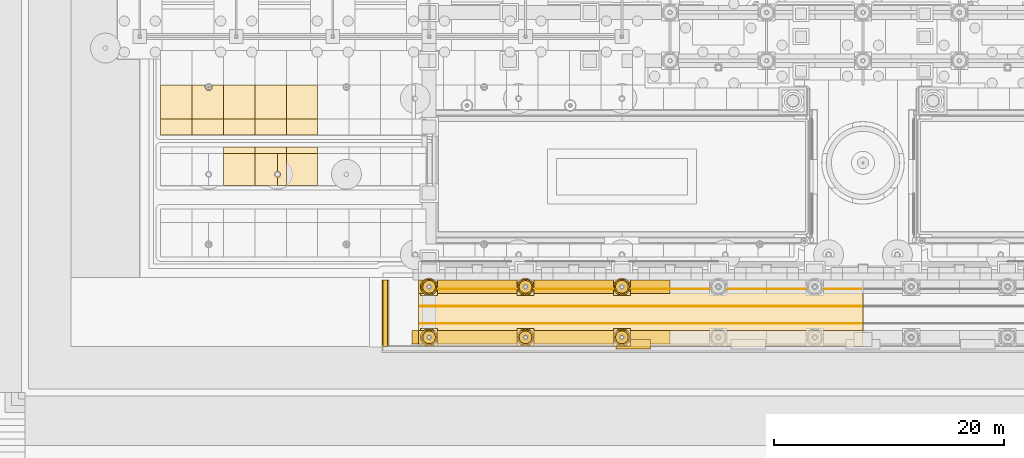
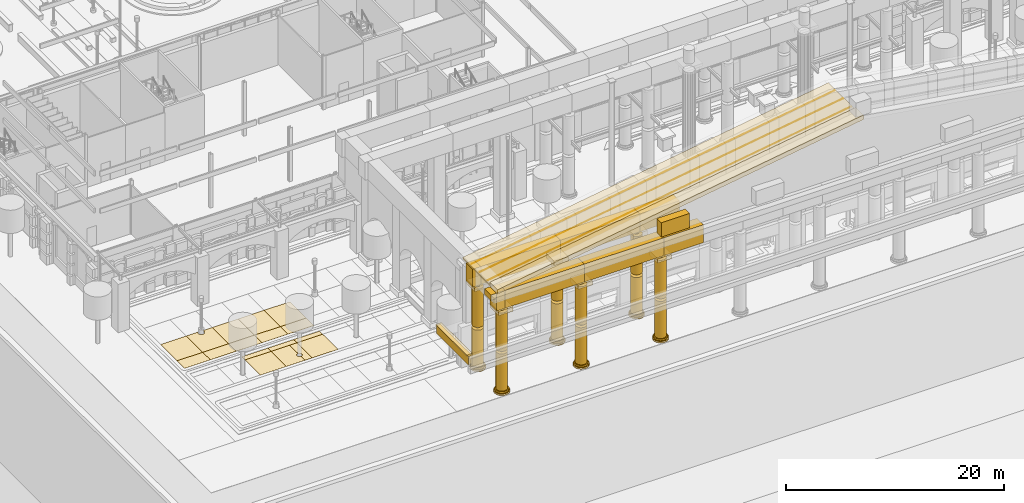
# One storey, part 109 of 222: 64 coverings.
"""IFC4 building model written with IfcOpenShell, lengths in metres."""

import ifcopenshell
import ifcopenshell.guid

model = None  # the IFC model being written
_history = None  # IfcOwnerHistory: only IFC2X3 demands one
_inside = {}  # id of a spatial element -> (the spatial element, [elements in it])
_under = {}  # id of a project, library or spatial element -> (it, [spatial elements below it])
_declared = {}  # id of a project -> (the project, [libraries it declares])
_typed = {}  # id of a type object -> (the type object, [elements of that type])
_made_of = {}  # id of a material, layer set ... -> (it, [elements and type objects made of it])


def new_model(schema):
    """Start an empty IFC model of exactly this schema.

    Asked for "IFC4X3", IfcOpenShell would pick the latest addendum, in which some entities
    have other attributes; the version numbers below select the first issue.
    IFC2X3 requires an IfcOwnerHistory on every rooted entity: one is made here for all.
    """
    global model, _history
    if schema == "IFC4X3":
        model = ifcopenshell.file(schema_version=(4, 3, 0, 0))
    else:
        model = ifcopenshell.file(schema=schema)
    _inside.clear()
    _under.clear()
    _declared.clear()
    _typed.clear()
    _made_of.clear()
    _history = None
    if model.schema == "IFC2X3":
        org = make("IfcOrganization", Name="unknown")
        user = make(
            "IfcPersonAndOrganization",
            ThePerson=make("IfcPerson", FamilyName="unknown"),
            TheOrganization=org,
        )
        app = make(
            "IfcApplication",
            ApplicationDeveloper=org,
            Version="unknown",
            ApplicationFullName="unknown",
            ApplicationIdentifier="unknown",
        )
        _history = make(
            "IfcOwnerHistory",
            OwningUser=user,
            OwningApplication=app,
            ChangeAction="ADDED",
            CreationDate=0,
        )
    return model


def make(cls, **values):
    """One entity of the class cls with the attributes given. An attribute that is None is left unset."""
    return model.create_entity(
        cls, **{name: value for name, value in values.items() if value is not None}
    )


def rooted(cls, **values):
    """An entity with a GlobalId (a new one), such as an element, a storey or a relation."""
    return make(cls, GlobalId=ifcopenshell.guid.new(), OwnerHistory=_history, **values)


def si_unit(unit_type, name, prefix=None):
    """IfcSIUnit, for example si_unit("LENGTHUNIT", "METRE", prefix="MILLI")."""
    return make("IfcSIUnit", UnitType=unit_type, Prefix=prefix, Name=name)


def assignment(units):
    """IfcUnitAssignment: the units of a project."""
    return None if units is None else make("IfcUnitAssignment", Units=units)


def point(xyz):
    """IfcCartesianPoint."""
    return None if xyz is None else make("IfcCartesianPoint", Coordinates=xyz)


def direction(xyz):
    """IfcDirection."""
    return None if xyz is None else make("IfcDirection", DirectionRatios=xyz)


def frame(location, z_axis=None, x_axis=None):
    """IfcAxis2Placement3D, a coordinate frame: its origin and axes. An axis left out is left unset."""
    return make(
        "IfcAxis2Placement3D",
        Location=point(location),
        Axis=direction(z_axis),
        RefDirection=direction(x_axis),
    )


def frame_2d(location, x_axis=None):
    """IfcAxis2Placement2D, a coordinate frame in the plane: its origin and x axis."""
    return make(
        "IfcAxis2Placement2D", Location=point(location), RefDirection=direction(x_axis)
    )


def origin():
    """The frame at (0, 0, 0) with its axes left unset."""
    return frame((0.0, 0.0, 0.0))


def origin_2d():
    """The frame at (0, 0) in the plane with its x axis left unset."""
    return frame_2d((0.0, 0.0))


def place(relative_to, where):
    """IfcLocalPlacement: puts the frame where relative to a parent placement (None: the world)."""
    return make(
        "IfcLocalPlacement", PlacementRelTo=relative_to, RelativePlacement=where
    )


def context(
    kind, dimensions, precision=None, world=None, true_north=None, identifier=None
):
    """IfcGeometricRepresentationContext, for example the 3D "Model" context."""
    return make(
        "IfcGeometricRepresentationContext",
        ContextIdentifier=identifier,
        ContextType=kind,
        CoordinateSpaceDimension=dimensions,
        Precision=precision,
        WorldCoordinateSystem=world,
        TrueNorth=true_north,
    )


def subcontext(parent, identifier, kind, view, scale=None):
    """IfcGeometricRepresentationSubContext, for example "Body" below "Model"."""
    return make(
        "IfcGeometricRepresentationSubContext",
        ContextIdentifier=identifier,
        ContextType=kind,
        ParentContext=parent,
        TargetScale=scale,
        TargetView=view,
    )


def project(units=None, contexts=None):
    """IfcProject with its units and contexts."""
    return rooted(
        "IfcProject",
        Name="project",
        RepresentationContexts=contexts,
        UnitsInContext=assignment(units),
    )


def spatial(cls, under=None, at=None, **own):
    """A site, building, storey or space (cls), placed at a placement, below another one or the project."""
    s = rooted(cls, ObjectPlacement=at, **own)
    if under is not None:
        _under.setdefault(under.id(), (under, []))[1].append(s)
    return s


def polyline(points):
    """IfcPolyline through the points."""
    return make("IfcPolyline", Points=[point(p) for p in points])


def profile(cls, at=None, kind="AREA", **sizes):
    """A parametric profile (cls). Its sizes go by their IFC names, for example OverallWidth=200.0."""
    return make(cls, ProfileType=kind, Position=at, **sizes)


def rectangle(**sizes):
    """IfcRectangleProfileDef."""
    return profile("IfcRectangleProfileDef", **sizes)


def hollow_circle(**sizes):
    """IfcCircleHollowProfileDef."""
    return profile("IfcCircleHollowProfileDef", **sizes)


def outline(outer, holes=None, kind="AREA"):
    """IfcArbitraryClosedProfileDef: a profile drawn as a closed curve; with holes, ...WithVoids."""
    if holes is None:
        return make("IfcArbitraryClosedProfileDef", ProfileType=kind, OuterCurve=outer)
    return make(
        "IfcArbitraryProfileDefWithVoids",
        ProfileType=kind,
        OuterCurve=outer,
        InnerCurves=holes,
    )


def extrude(swept, where, along, depth):
    """IfcExtrudedAreaSolid: the profile swept, set in the frame where, extruded along a direction by depth."""
    return make(
        "IfcExtrudedAreaSolid",
        SweptArea=swept,
        Position=where,
        ExtrudedDirection=direction(along),
        Depth=depth,
    )


def shape(context_of_items, identifier, shape_type, items):
    """IfcShapeRepresentation: the items that make up one representation, for example the "Body"."""
    return make(
        "IfcShapeRepresentation",
        ContextOfItems=context_of_items,
        RepresentationIdentifier=identifier,
        RepresentationType=shape_type,
        Items=items,
    )


def material(Name=None, Category=None):
    """IfcMaterial."""
    return make("IfcMaterial", Name=Name, Category=Category)


def layer(
    of_material, thickness, ventilated=None, Name=None, Category=None, Priority=None
):
    """IfcMaterialLayer: one layer of a wall or slab, of a material (None: an air gap)."""
    return make(
        "IfcMaterialLayer",
        Material=of_material,
        LayerThickness=thickness,
        IsVentilated=ventilated,
        Name=Name,
        Category=Category,
        Priority=Priority,
    )


def layer_set(layers, Name=None):
    """IfcMaterialLayerSet."""
    return make("IfcMaterialLayerSet", MaterialLayers=layers, LayerSetName=Name)


def material_profile(
    of_material, cross_section, Name=None, Category=None, Priority=None
):
    """IfcMaterialProfile: a cross section and its material."""
    return make(
        "IfcMaterialProfile",
        Name=Name,
        Material=of_material,
        Profile=cross_section,
        Priority=Priority,
        Category=Category,
    )


def profile_set(profiles, Name=None, composite=None):
    """IfcMaterialProfileSet."""
    return make(
        "IfcMaterialProfileSet",
        Name=Name,
        MaterialProfiles=profiles,
        CompositeProfile=composite,
    )


def made_of(thing, what):
    """Note that an element or type object is made of a material, layer set ...; save() writes the relation."""
    if what is not None:
        _made_of.setdefault(what.id(), (what, []))[1].append(thing)
    return thing


def type_object(cls, material=None, **own):
    """A type object (cls), such as IfcWallType, which elements share."""
    return made_of(rooted(cls, **own), material)


def element(
    cls,
    number,
    at=None,
    inside=None,
    cuts=None,
    type_object=None,
    material=None,
    context=None,
    identifier="Body",
    shape_type=None,
    held_by="IfcProductDefinitionShape",
    body=None,
    shapes=None,
    **own,
):
    """One element of the class cls, such as IfcWall. Its Tag is "e" and its number.

    at: its placement. inside: the storey or other place that contains it. cuts: it is an
    opening in that element (IfcRelVoidsElement). A single representation is given by context,
    identifier, shape_type and body (its items); several are given by shapes. held_by: the class
    of the entity that holds the representations. save() writes the other relations.
    """
    e = rooted(cls, Tag="e%d" % number, ObjectPlacement=at, **own)
    if body is not None:
        shapes = [shape(context, identifier, shape_type, body)]
    if shapes is not None:
        e.Representation = make(held_by, Representations=shapes)
    if inside is not None:
        _inside.setdefault(inside.id(), (inside, []))[1].append(e)
    if cuts is not None:
        rooted(
            "IfcRelVoidsElement", RelatingBuildingElement=cuts, RelatedOpeningElement=e
        )
    if type_object is not None:
        _typed.setdefault(type_object.id(), (type_object, []))[1].append(e)
    return made_of(e, material)


def aggregate(whole, parts):
    """IfcRelAggregates: a whole, such as a stair, and the parts it consists of."""
    return rooted("IfcRelAggregates", RelatingObject=whole, RelatedObjects=parts)


def save(model, path):
    """Write the relations noted so far, then the file.

    IfcRelAggregates (storeys below a building ...), IfcRelContainedInSpatialStructure (elements
    in a storey), IfcRelDefinesByType, IfcRelAssociatesMaterial and IfcRelDeclares: one each for
    every whole, place, type object, material and project.
    """
    for whole, parts in _under.values():
        aggregate(whole, parts)
    for where, things in _inside.values():
        rooted(
            "IfcRelContainedInSpatialStructure",
            RelatedElements=things,
            RelatingStructure=where,
        )
    for kind, things in _typed.values():
        rooted("IfcRelDefinesByType", RelatedObjects=things, RelatingType=kind)
    for what, things in _made_of.values():
        rooted("IfcRelAssociatesMaterial", RelatedObjects=things, RelatingMaterial=what)
    for by, libraries in _declared.values():
        rooted("IfcRelDeclares", RelatingContext=by, RelatedDefinitions=libraries)
    model.write(path)


model = new_model("IFC4")

# Units and contexts
model_context = context("Model", 3, precision=1e-05, world=origin(), true_north=direction((0.0, 1.0)))
body_context = subcontext(model_context, "Body", "Model", "MODEL_VIEW")
ifc_project = project(units=[si_unit("LENGTHUNIT", "METRE"), si_unit("AREAUNIT", "SQUARE_METRE"), si_unit("VOLUMEUNIT", "CUBIC_METRE"), si_unit("PLANEANGLEUNIT", "RADIAN"), si_unit("MASSUNIT", "GRAM", prefix="KILO")], contexts=[model_context])

# Site, building, storey
site_placement = place(None, origin())
site = spatial("IfcSite", under=ifc_project, at=site_placement, CompositionType="ELEMENT")
building_placement = place(site_placement, origin())
building = spatial("IfcBuilding", under=site, at=building_placement, Name="Sava Quay Ferry Terminal", CompositionType="ELEMENT")
storey_placement = place(building_placement, origin())
storey = spatial("IfcBuildingStorey", under=building, at=storey_placement, Name="L00", CompositionType="ELEMENT", Elevation=0.0)

# Coverings
ifc_material_1 = material(Name="Limestone Mutalj", Category="masonry")
ifc_layer_1 = layer(ifc_material_1, 0.030029296875)
ifc_layer_set_1 = layer_set([ifc_layer_1], Name="Limestone Mutalj")
covering_type_1 = type_object("IfcCoveringType", Name="Court paving tile 30", PredefinedType="FLOORING", material=ifc_layer_set_1)
covering_1_placement = place(storey_placement, origin())
element("IfcCovering", 1, at=covering_1_placement, inside=storey, type_object=covering_type_1, Name="Limestone paving tile", PredefinedType="FLOORING", context=body_context, shape_type="SweptSolid", body=[
    extrude(outline(polyline([(4.5400390625, 16.800048828125), (1.81005859375, 16.800048828125), (1.81005859375, 13.800048828125), (4.5400390625, 13.800048828125), (4.5400390625, 16.800048828125)])), origin(), (0.0, 0.0, 1.0), 0.030029296875),
])
covering_2_placement = place(storey_placement, origin())
element("IfcCovering", 2, at=covering_2_placement, inside=storey, type_object=covering_type_1, Name="Limestone paving tile", PredefinedType="FLOORING", context=body_context, shape_type="SweptSolid", body=[
    extrude(outline(polyline([(4.5400390625, 13.800048828125), (4.5400390625, 12.409912109375), (7.280029296875, 12.409912109375), (7.280029296875, 13.800048828125), (4.5400390625, 13.800048828125)])), origin(), (0.0, 0.0, 1.0), 0.030029296875),
])
covering_3_placement = place(storey_placement, origin())
element("IfcCovering", 3, at=covering_3_placement, inside=storey, type_object=covering_type_1, Name="Limestone paving tile", PredefinedType="FLOORING", context=body_context, shape_type="SweptSolid", body=[
    extrude(outline(polyline([(7.280029296875, 10.800048828125), (7.280029296875, 8.010009765625), (10.02001953125, 8.010009765625), (10.02001953125, 10.800048828125), (7.280029296875, 10.800048828125)])), origin(), (0.0, 0.0, 1.0), 0.030029296875),
])
covering_4_placement = place(storey_placement, origin())
element("IfcCovering", 4, at=covering_4_placement, inside=storey, type_object=covering_type_1, Name="Limestone paving tile", PredefinedType="FLOORING", context=body_context, shape_type="SweptSolid", body=[
    extrude(outline(polyline([(7.280029296875, 13.800048828125), (10.02001953125, 13.800048828125), (10.02001953125, 16.800048828125), (7.280029296875, 16.800048828125), (7.280029296875, 13.800048828125)])), origin(), (0.0, 0.0, 1.0), 0.030029296875),
])
covering_5_placement = place(storey_placement, origin())
element("IfcCovering", 5, at=covering_5_placement, inside=storey, type_object=covering_type_1, Name="Limestone paving tile", PredefinedType="FLOORING", context=body_context, shape_type="SweptSolid", body=[
    extrude(outline(polyline([(12.760009765625, 10.800048828125), (12.760009765625, 11.389892578125), (10.02001953125, 11.389892578125), (10.02001953125, 10.800048828125), (12.760009765625, 10.800048828125)])), origin(), (0.0, 0.0, 1.0), 0.030029296875),
])
covering_6_placement = place(storey_placement, origin())
element("IfcCovering", 6, at=covering_6_placement, inside=storey, type_object=covering_type_1, Name="Limestone paving tile", PredefinedType="FLOORING", context=body_context, shape_type="SweptSolid", body=[
    extrude(outline(polyline([(10.02001953125, 13.800048828125), (10.02001953125, 12.409912109375), (12.760009765625, 12.409912109375), (12.760009765625, 13.800048828125), (10.02001953125, 13.800048828125)])), origin(), (0.0, 0.0, 1.0), 0.030029296875),
])
covering_7_placement = place(storey_placement, origin())
element("IfcCovering", 7, at=covering_7_placement, inside=storey, type_object=covering_type_1, Name="Limestone paving tile", PredefinedType="FLOORING", context=body_context, shape_type="SweptSolid", body=[
    extrude(outline(polyline([(12.760009765625, 10.800048828125), (12.760009765625, 8.010009765625), (15.5, 8.010009765625), (15.5, 10.800048828125), (12.760009765625, 10.800048828125)])), origin(), (0.0, 0.0, 1.0), 0.030029296875),
])
covering_8_placement = place(storey_placement, origin())
element("IfcCovering", 8, at=covering_8_placement, inside=storey, type_object=covering_type_1, Name="Limestone paving tile", PredefinedType="FLOORING", context=body_context, shape_type="SweptSolid", body=[
    extrude(outline(polyline([(12.760009765625, 13.800048828125), (15.5, 13.800048828125), (15.5, 16.800048828125), (12.760009765625, 16.800048828125), (12.760009765625, 13.800048828125)])), origin(), (0.0, 0.0, 1.0), 0.030029296875),
])
ifc_material_2 = material(Name="Red sandstone Vrsac", Category="masonry")
ifc_layer_2 = layer(ifc_material_2, 0.030029296875)
ifc_layer_set_2 = layer_set([ifc_layer_2], Name="Red sandstone Vrsac")
covering_type_2 = type_object("IfcCoveringType", Name="Court paving tile sandstone 30", PredefinedType="FLOORING", material=ifc_layer_set_2)
covering_9_placement = place(storey_placement, origin())
element("IfcCovering", 9, at=covering_9_placement, inside=storey, type_object=covering_type_2, Name="Sandstone paving tile", PredefinedType="FLOORING", context=body_context, shape_type="SweptSolid", body=[
    extrude(outline(polyline([(4.5400390625, 13.800048828125), (1.81005859375, 13.800048828125), (1.81005859375, 12.409912109375), (4.5400390625, 12.409912109375), (4.5400390625, 13.800048828125)])), origin(), (0.0, 0.0, 1.0), 0.030029296875),
])
covering_10_placement = place(storey_placement, origin())
element("IfcCovering", 10, at=covering_10_placement, inside=storey, type_object=covering_type_2, Name="Sandstone paving tile", PredefinedType="FLOORING", context=body_context, shape_type="SweptSolid", body=[
    extrude(outline(polyline([(7.280029296875, 16.800048828125), (6.237060546875, 16.800048828125), (6.257080078125, 16.77294921875), (6.27392578125, 16.74609375), (6.285888671875, 16.718994140625), (6.2958984375, 16.68994140625), (6.303955078125, 16.659912109375), (6.30810546875, 16.631103515625), (6.31005859375, 16.60009765625), (6.30810546875, 16.569091796875), (6.303955078125, 16.5400390625), (6.297119140625, 16.510009765625), (6.285888671875, 16.48095703125), (6.27294921875, 16.452880859375), (6.258056640625, 16.427978515625), (6.239013671875, 16.403076171875), (6.218994140625, 16.3798828125), (6.197021484375, 16.361083984375), (6.172119140625, 16.342041015625), (6.14697265625, 16.326904296875), (6.118896484375, 16.31396484375), (6.090087890625, 16.302978515625), (6.06005859375, 16.2958984375), (6.031005859375, 16.2919921875), (6.0, 16.2900390625), (5.969970703125, 16.291015625), (5.93994140625, 16.2958984375), (5.909912109375, 16.303955078125), (5.882080078125, 16.31298828125), (5.85400390625, 16.325927734375), (5.827880859375, 16.342041015625), (5.802978515625, 16.361083984375), (5.781005859375, 16.3798828125), (5.760986328125, 16.403076171875), (5.741943359375, 16.427978515625), (5.72705078125, 16.452880859375), (5.714111328125, 16.48095703125), (5.702880859375, 16.510009765625), (5.696044921875, 16.5400390625), (5.69189453125, 16.569091796875), (5.68994140625, 16.60009765625), (5.69189453125, 16.631103515625), (5.696044921875, 16.659912109375), (5.7041015625, 16.68994140625), (5.714111328125, 16.718994140625), (5.72607421875, 16.74609375), (5.742919921875, 16.77294921875), (5.762939453125, 16.800048828125), (4.5400390625, 16.800048828125), (4.5400390625, 13.800048828125), (7.280029296875, 13.800048828125), (7.280029296875, 16.800048828125)])), origin(), (0.0, 0.0, 1.0), 0.030029296875),
])
covering_11_placement = place(storey_placement, origin())
element("IfcCovering", 11, at=covering_11_placement, inside=storey, type_object=covering_type_2, Name="Sandstone paving tile", PredefinedType="FLOORING", context=body_context, shape_type="SweptSolid", body=[
    extrude(outline(polyline([(10.02001953125, 10.800048828125), (10.02001953125, 11.389892578125), (7.280029296875, 11.389892578125), (7.280029296875, 10.800048828125), (10.02001953125, 10.800048828125)])), origin(), (0.0, 0.0, 1.0), 0.030029296875),
])
covering_12_placement = place(storey_placement, origin())
element("IfcCovering", 12, at=covering_12_placement, inside=storey, type_object=covering_type_2, Name="Sandstone paving tile", PredefinedType="FLOORING", context=body_context, shape_type="SweptSolid", body=[
    extrude(outline(polyline([(7.280029296875, 13.800048828125), (7.280029296875, 12.409912109375), (10.02001953125, 12.409912109375), (10.02001953125, 13.800048828125), (7.280029296875, 13.800048828125)])), origin(), (0.0, 0.0, 1.0), 0.030029296875),
])
covering_13_placement = place(storey_placement, origin())
element("IfcCovering", 13, at=covering_13_placement, inside=storey, type_object=covering_type_2, Name="Sandstone paving tile", PredefinedType="FLOORING", context=body_context, shape_type="SweptSolid", body=[
    extrude(outline(polyline([(12.0, 10.800048828125), (10.02001953125, 10.800048828125), (10.02001953125, 8.010009765625), (12.0, 8.010009765625), (12.0, 8.739990234375), (11.97412109375, 8.740966796875), (11.948974609375, 8.7451171875), (11.924072265625, 8.7509765625), (11.89990234375, 8.760009765625), (11.876953125, 8.77099609375), (11.85498046875, 8.783935546875), (11.8349609375, 8.799072265625), (11.81591796875, 8.81689453125), (11.799072265625, 8.8349609375), (11.783935546875, 8.85595703125), (11.77001953125, 8.8779296875), (11.760009765625, 8.90087890625), (11.7509765625, 8.925048828125), (11.7451171875, 8.949951171875), (11.740966796875, 8.97509765625), (11.739990234375, 9.0), (11.740966796875, 9.02587890625), (11.7451171875, 9.051025390625), (11.7509765625, 9.075927734375), (11.760009765625, 9.10009765625), (11.77099609375, 9.123046875), (11.783935546875, 9.14501953125), (11.799072265625, 9.1650390625), (11.81689453125, 9.18408203125), (11.8349609375, 9.200927734375), (11.85595703125, 9.216064453125), (11.8779296875, 9.22998046875), (11.90087890625, 9.239990234375), (11.925048828125, 9.2490234375), (11.949951171875, 9.2548828125), (11.97509765625, 9.259033203125), (12.0, 9.260009765625), (12.0, 10.800048828125)])), origin(), (0.0, 0.0, 1.0), 0.030029296875),
])
covering_14_placement = place(storey_placement, origin())
element("IfcCovering", 14, at=covering_14_placement, inside=storey, type_object=covering_type_2, Name="Sandstone paving tile", PredefinedType="FLOORING", context=body_context, shape_type="SweptSolid", body=[
    extrude(outline(polyline([(12.760009765625, 10.800048828125), (12.0, 10.800048828125), (12.0, 9.260009765625), (12.02587890625, 9.259033203125), (12.051025390625, 9.2548828125), (12.075927734375, 9.2490234375), (12.10009765625, 9.239990234375), (12.123046875, 9.22900390625), (12.14501953125, 9.216064453125), (12.1650390625, 9.200927734375), (12.18408203125, 9.18310546875), (12.200927734375, 9.1650390625), (12.216064453125, 9.14404296875), (12.22998046875, 9.1220703125), (12.239990234375, 9.09912109375), (12.2490234375, 9.074951171875), (12.2548828125, 9.050048828125), (12.259033203125, 9.02490234375), (12.260009765625, 9.0), (12.259033203125, 8.97412109375), (12.2548828125, 8.948974609375), (12.2490234375, 8.924072265625), (12.239990234375, 8.89990234375), (12.22900390625, 8.876953125), (12.216064453125, 8.85498046875), (12.200927734375, 8.8349609375), (12.18310546875, 8.81591796875), (12.1650390625, 8.799072265625), (12.14404296875, 8.783935546875), (12.1220703125, 8.77001953125), (12.09912109375, 8.760009765625), (12.074951171875, 8.7509765625), (12.050048828125, 8.7451171875), (12.02490234375, 8.740966796875), (12.0, 8.739990234375), (12.0, 8.010009765625), (12.760009765625, 8.010009765625), (12.760009765625, 10.800048828125)])), origin(), (0.0, 0.0, 1.0), 0.030029296875),
])
covering_15_placement = place(storey_placement, origin())
element("IfcCovering", 15, at=covering_15_placement, inside=storey, type_object=covering_type_2, Name="Sandstone paving tile", PredefinedType="FLOORING", context=body_context, shape_type="SweptSolid", body=[
    extrude(outline(polyline([(10.02001953125, 13.800048828125), (12.760009765625, 13.800048828125), (12.760009765625, 16.800048828125), (10.02001953125, 16.800048828125), (10.02001953125, 13.800048828125)])), origin(), (0.0, 0.0, 1.0), 0.030029296875),
])
covering_16_placement = place(storey_placement, origin())
element("IfcCovering", 16, at=covering_16_placement, inside=storey, type_object=covering_type_2, Name="Sandstone paving tile", PredefinedType="FLOORING", context=body_context, shape_type="SweptSolid", body=[
    extrude(outline(polyline([(15.5, 10.800048828125), (15.5, 11.389892578125), (12.760009765625, 11.389892578125), (12.760009765625, 10.800048828125), (15.5, 10.800048828125)])), origin(), (0.0, 0.0, 1.0), 0.030029296875),
])
covering_17_placement = place(storey_placement, origin())
element("IfcCovering", 17, at=covering_17_placement, inside=storey, type_object=covering_type_2, Name="Sandstone paving tile", PredefinedType="FLOORING", context=body_context, shape_type="SweptSolid", body=[
    extrude(outline(polyline([(12.760009765625, 13.800048828125), (12.760009765625, 12.409912109375), (15.5, 12.409912109375), (15.5, 13.800048828125), (12.760009765625, 13.800048828125)])), origin(), (0.0, 0.0, 1.0), 0.030029296875),
])
ifc_material_3 = material(Name="Zinc roofing")
ifc_layer_3 = layer(ifc_material_3, 0.25)
ifc_layer_set_3 = layer_set([ifc_layer_3], Name="Zinc roofing")
covering_type_3 = type_object("IfcCoveringType", Name="Gable roof plate 250", PredefinedType="ROOFING", material=ifc_layer_set_3)
covering_18_placement = place(storey_placement, frame((24.300048828125, -5.39990234375, 11.85009765625), z_axis=(-0.153208546542, 0.0, 0.988193878379), x_axis=(0.988193878379, 0.0, 0.153208546542)))
element("IfcCovering", 18, at=covering_18_placement, inside=storey, type_object=covering_type_3, Name="Gable roof plate", PredefinedType="ROOFING", context=body_context, shape_type="SweptSolid", body=[
    extrude(outline(polyline([(0.0, 0.0), (39.162306120879926, 0.0), (39.162306120879926, 5.7998046875), (0.0, 5.7998046875), (0.0, 0.0)])), origin(), (0.0, 0.0, -1.0), 0.25),
])
ifc_material_4 = material(Name="Limestone Mutalj ashlar", Category="masonry")
ifc_material_profile_1 = material_profile(ifc_material_4, hollow_circle(Radius=0.75, WallThickness=0.199951171875, at=origin_2d()), Name="Base plinth 1500")
ifc_profile_set_1 = profile_set([ifc_material_profile_1], Name="Limestone Mutalj ashlar")
covering_type_4 = type_object("IfcCoveringType", Name="Giant-order base plinth 1500", PredefinedType="CLADDING", material=ifc_profile_set_1)
for number, where, z_axis, x_axis, name in (
    (19, (25.199951171875, -5.199951171875, 0.0), (0.0, 0.0, 1.0), (1.0, 0.0, 0.0), "Giant-order base plinth"),
    (20, (25.199951171875, -0.800048828125, 0.0), (0.0, 0.0, 1.0), (1.0, 0.0, 0.0), "Giant-order base plinth"),
    (21, (33.60009765625, -5.199951171875, 0.0), (0.0, 0.0, 1.0), (1.0, 0.0, 0.0), "Giant-order base plinth"),
    (22, (33.60009765625, -0.800048828125, 0.0), (0.0, 0.0, 1.0), (1.0, 0.0, 0.0), "Giant-order base plinth"),
    (23, (42.0, -5.199951171875, 0.0), (0.0, 0.0, 1.0), (1.0, 0.0, 0.0), "Giant-order base plinth"),
    (24, (42.0, -0.800048828125, 0.0), (0.0, 0.0, 1.0), (1.0, 0.0, 0.0), "Giant-order base plinth"),
):
    element("IfcCovering", number, at=place(storey_placement, frame(where, z_axis=z_axis, x_axis=x_axis)), inside=storey, type_object=covering_type_4, Name=name, PredefinedType="CLADDING", context=body_context, shape_type="SweptSolid", body=[
        extrude(hollow_circle(Radius=0.75, WallThickness=0.199951171875, at=origin_2d()), origin(), (0.0, 0.0, 1.0), 0.179931640625),
    ])
ifc_material_5 = material(Name="Limestone Mutalj ashlar", Category="masonry")
ifc_material_profile_2 = material_profile(ifc_material_5, hollow_circle(Radius=0.64990234375, WallThickness=0.10009765625, at=origin_2d()), Name="Base roll 1300")
ifc_profile_set_2 = profile_set([ifc_material_profile_2], Name="Limestone Mutalj ashlar")
covering_type_5 = type_object("IfcCoveringType", Name="Giant-order base roll 1300", PredefinedType="CLADDING", material=ifc_profile_set_2)
for number, where, z_axis, x_axis, name in (
    (25, (25.199951171875, -5.199951171875, 0.179931640625), (0.0, 0.0, 1.0), (1.0, 0.0, 0.0), "Giant-order base roll"),
    (26, (25.199951171875, -0.800048828125, 0.179931640625), (0.0, 0.0, 1.0), (1.0, 0.0, 0.0), "Giant-order base roll"),
    (27, (33.60009765625, -5.199951171875, 0.179931640625), (0.0, 0.0, 1.0), (1.0, 0.0, 0.0), "Giant-order base roll"),
    (28, (33.60009765625, -0.800048828125, 0.179931640625), (0.0, 0.0, 1.0), (1.0, 0.0, 0.0), "Giant-order base roll"),
    (29, (42.0, -5.199951171875, 0.179931640625), (0.0, 0.0, 1.0), (1.0, 0.0, 0.0), "Giant-order base roll"),
    (30, (42.0, -0.800048828125, 0.179931640625), (0.0, 0.0, 1.0), (1.0, 0.0, 0.0), "Giant-order base roll"),
):
    element("IfcCovering", number, at=place(storey_placement, frame(where, z_axis=z_axis, x_axis=x_axis)), inside=storey, type_object=covering_type_5, Name=name, PredefinedType="CLADDING", context=body_context, shape_type="SweptSolid", body=[
        extrude(hollow_circle(Radius=0.64990234375, WallThickness=0.10009765625, at=origin_2d()), origin(), (0.0, 0.0, 1.0), 0.18017578125),
    ])
ifc_material_6 = material(Name="Limestone Mutalj", Category="masonry")
ifc_layer_4 = layer(ifc_material_6, 0.5)
ifc_layer_set_4 = layer_set([ifc_layer_4], Name="Limestone Mutalj")
covering_type_6 = type_object("IfcCoveringType", Name="Giant-order capital 1500", PredefinedType="CLADDING", material=ifc_layer_set_4)
for number, where, z_axis, x_axis, name in (
    (31, (25.199951171875, -5.199951171875, 9.10009765625), (0.0, 0.0, 1.0), (1.0, 0.0, 0.0), "Giant-order capital"),
    (32, (25.199951171875, -0.800048828125, 9.10009765625), (0.0, 0.0, 1.0), (1.0, 0.0, 0.0), "Giant-order capital"),
    (33, (33.60009765625, -5.199951171875, 9.10009765625), (0.0, 0.0, 1.0), (1.0, 0.0, 0.0), "Giant-order capital"),
    (34, (33.60009765625, -0.800048828125, 9.10009765625), (0.0, 0.0, 1.0), (1.0, 0.0, 0.0), "Giant-order capital"),
    (35, (42.0, -5.199951171875, 9.10009765625), (0.0, 0.0, 1.0), (1.0, 0.0, 0.0), "Giant-order capital"),
    (36, (42.0, -0.800048828125, 9.10009765625), (0.0, 0.0, 1.0), (1.0, 0.0, 0.0), "Giant-order capital"),
):
    element("IfcCovering", number, at=place(storey_placement, frame(where, z_axis=z_axis, x_axis=x_axis)), inside=storey, type_object=covering_type_6, Name=name, PredefinedType="CLADDING", context=body_context, shape_type="SweptSolid", body=[
        extrude(rectangle(XDim=1.5, YDim=1.5, at=origin_2d()), origin(), (0.0, 0.0, 1.0), 0.5),
    ])
ifc_material_7 = material(Name="Limestone Mutalj ashlar", Category="masonry")
ifc_material_profile_3 = material_profile(ifc_material_7, hollow_circle(Radius=0.550048828125, WallThickness=0.37158203125, at=origin_2d()), Name="Stone shaft D1100")
ifc_profile_set_3 = profile_set([ifc_material_profile_3], Name="Limestone Mutalj ashlar")
covering_type_7 = type_object("IfcCoveringType", Name="Giant-order stone shaft D1100", PredefinedType="CLADDING", material=ifc_profile_set_3)
covering_19_placement = place(storey_placement, frame((25.199951171875, -5.199951171875, 0.0), z_axis=(0.0, 0.0, 1.0), x_axis=(1.0, 0.0, 0.0)))
element("IfcCovering", 37, at=covering_19_placement, inside=storey, type_object=covering_type_7, Name="Giant-order column shaft", PredefinedType="CLADDING", context=body_context, shape_type="SweptSolid", body=[
    extrude(hollow_circle(Radius=0.550048828125, WallThickness=0.37158203125, at=origin_2d()), origin(), (0.0, 0.0, 1.0), 4.5),
])
covering_20_placement = place(storey_placement, frame((25.199951171875, -5.199951171875, 4.800048828125), z_axis=(0.0, 0.0, 1.0), x_axis=(1.0, 0.0, 0.0)))
element("IfcCovering", 38, at=covering_20_placement, inside=storey, type_object=covering_type_7, Name="Giant-order column shaft", PredefinedType="CLADDING", context=body_context, shape_type="SweptSolid", body=[
    extrude(hollow_circle(Radius=0.550048828125, WallThickness=0.37158203125, at=origin_2d()), origin(), (0.0, 0.0, 1.0), 4.300048828125),
])
covering_21_placement = place(storey_placement, frame((25.199951171875, -0.800048828125, 0.0), z_axis=(0.0, 0.0, 1.0), x_axis=(1.0, 0.0, 0.0)))
element("IfcCovering", 39, at=covering_21_placement, inside=storey, type_object=covering_type_7, Name="Giant-order column shaft", PredefinedType="CLADDING", context=body_context, shape_type="SweptSolid", body=[
    extrude(hollow_circle(Radius=0.550048828125, WallThickness=0.37158203125, at=origin_2d()), origin(), (0.0, 0.0, 1.0), 4.5),
])
covering_22_placement = place(storey_placement, frame((25.199951171875, -0.800048828125, 4.800048828125), z_axis=(0.0, 0.0, 1.0), x_axis=(1.0, 0.0, 0.0)))
element("IfcCovering", 40, at=covering_22_placement, inside=storey, type_object=covering_type_7, Name="Giant-order column shaft", PredefinedType="CLADDING", context=body_context, shape_type="SweptSolid", body=[
    extrude(hollow_circle(Radius=0.550048828125, WallThickness=0.37158203125, at=origin_2d()), origin(), (0.0, 0.0, 1.0), 4.300048828125),
])
covering_23_placement = place(storey_placement, frame((33.60009765625, -5.199951171875, 0.0), z_axis=(0.0, 0.0, 1.0), x_axis=(1.0, 0.0, 0.0)))
element("IfcCovering", 41, at=covering_23_placement, inside=storey, type_object=covering_type_7, Name="Giant-order column shaft", PredefinedType="CLADDING", context=body_context, shape_type="SweptSolid", body=[
    extrude(hollow_circle(Radius=0.550048828125, WallThickness=0.37158203125, at=origin_2d()), origin(), (0.0, 0.0, 1.0), 4.5),
])
covering_24_placement = place(storey_placement, frame((33.60009765625, -5.199951171875, 4.800048828125), z_axis=(0.0, 0.0, 1.0), x_axis=(1.0, 0.0, 0.0)))
element("IfcCovering", 42, at=covering_24_placement, inside=storey, type_object=covering_type_7, Name="Giant-order column shaft", PredefinedType="CLADDING", context=body_context, shape_type="SweptSolid", body=[
    extrude(hollow_circle(Radius=0.550048828125, WallThickness=0.37158203125, at=origin_2d()), origin(), (0.0, 0.0, 1.0), 4.300048828125),
])
covering_25_placement = place(storey_placement, frame((33.60009765625, -0.800048828125, 0.0), z_axis=(0.0, 0.0, 1.0), x_axis=(1.0, 0.0, 0.0)))
element("IfcCovering", 43, at=covering_25_placement, inside=storey, type_object=covering_type_7, Name="Giant-order column shaft", PredefinedType="CLADDING", context=body_context, shape_type="SweptSolid", body=[
    extrude(hollow_circle(Radius=0.550048828125, WallThickness=0.37158203125, at=origin_2d()), origin(), (0.0, 0.0, 1.0), 4.5),
])
covering_26_placement = place(storey_placement, frame((33.60009765625, -0.800048828125, 4.800048828125), z_axis=(0.0, 0.0, 1.0), x_axis=(1.0, 0.0, 0.0)))
element("IfcCovering", 44, at=covering_26_placement, inside=storey, type_object=covering_type_7, Name="Giant-order column shaft", PredefinedType="CLADDING", context=body_context, shape_type="SweptSolid", body=[
    extrude(hollow_circle(Radius=0.550048828125, WallThickness=0.37158203125, at=origin_2d()), origin(), (0.0, 0.0, 1.0), 4.300048828125),
])
covering_27_placement = place(storey_placement, frame((42.0, -5.199951171875, 0.0), z_axis=(0.0, 0.0, 1.0), x_axis=(1.0, 0.0, 0.0)))
element("IfcCovering", 45, at=covering_27_placement, inside=storey, type_object=covering_type_7, Name="Giant-order column shaft", PredefinedType="CLADDING", context=body_context, shape_type="SweptSolid", body=[
    extrude(hollow_circle(Radius=0.550048828125, WallThickness=0.37158203125, at=origin_2d()), origin(), (0.0, 0.0, 1.0), 4.5),
])
covering_28_placement = place(storey_placement, frame((42.0, -5.199951171875, 4.800048828125), z_axis=(0.0, 0.0, 1.0), x_axis=(1.0, 0.0, 0.0)))
element("IfcCovering", 46, at=covering_28_placement, inside=storey, type_object=covering_type_7, Name="Giant-order column shaft", PredefinedType="CLADDING", context=body_context, shape_type="SweptSolid", body=[
    extrude(hollow_circle(Radius=0.550048828125, WallThickness=0.37158203125, at=origin_2d()), origin(), (0.0, 0.0, 1.0), 4.300048828125),
])
covering_29_placement = place(storey_placement, frame((42.0, -0.800048828125, 0.0), z_axis=(0.0, 0.0, 1.0), x_axis=(1.0, 0.0, 0.0)))
element("IfcCovering", 47, at=covering_29_placement, inside=storey, type_object=covering_type_7, Name="Giant-order column shaft", PredefinedType="CLADDING", context=body_context, shape_type="SweptSolid", body=[
    extrude(hollow_circle(Radius=0.550048828125, WallThickness=0.37158203125, at=origin_2d()), origin(), (0.0, 0.0, 1.0), 4.5),
])
covering_30_placement = place(storey_placement, frame((42.0, -0.800048828125, 4.800048828125), z_axis=(0.0, 0.0, 1.0), x_axis=(1.0, 0.0, 0.0)))
element("IfcCovering", 48, at=covering_30_placement, inside=storey, type_object=covering_type_7, Name="Giant-order column shaft", PredefinedType="CLADDING", context=body_context, shape_type="SweptSolid", body=[
    extrude(hollow_circle(Radius=0.550048828125, WallThickness=0.37158203125, at=origin_2d()), origin(), (0.0, 0.0, 1.0), 4.300048828125),
])
ifc_material_8 = material(Name="Limestone Mutalj", Category="masonry")
ifc_layer_5 = layer(ifc_material_8, 0.39990234375)
ifc_layer_set_5 = layer_set([ifc_layer_5], Name="Limestone Mutalj")
covering_type_8 = type_object("IfcCoveringType", Name="Lane roof parapet 400", PredefinedType="CLADDING", material=ifc_layer_set_5)
covering_31_placement = place(storey_placement, frame((21.39990234375, -3.10009765625, 4.800048828125), z_axis=(0.0, 0.0, 1.0), x_axis=(1.0, 0.0, 0.0)))
element("IfcCovering", 49, at=covering_31_placement, inside=storey, type_object=covering_type_8, Name="Lane roof parapet", PredefinedType="CLADDING", context=body_context, shape_type="SweptSolid", body=[
    extrude(rectangle(XDim=0.39990234375, YDim=5.800048828125, at=origin_2d()), origin(), (0.0, 0.0, 1.0), 0.89990234375),
])
ifc_material_9 = material(Name="Limestone Mutalj", Category="masonry")
ifc_layer_6 = layer(ifc_material_9, 0.60009765625)
ifc_layer_set_6 = layer_set([ifc_layer_6], Name="Limestone Mutalj")
covering_type_9 = type_object("IfcCoveringType", Name="Lane roof parapet coping 600", PredefinedType="MOLDING", material=ifc_layer_set_6)
covering_32_placement = place(storey_placement, frame((21.39990234375, -3.050048828125, 5.699951171875), z_axis=(0.0, 0.0, 1.0), x_axis=(1.0, 0.0, 0.0)))
element("IfcCovering", 50, at=covering_32_placement, inside=storey, type_object=covering_type_9, Name="Lane roof parapet coping", PredefinedType="MOLDING", context=body_context, shape_type="SweptSolid", body=[
    extrude(rectangle(XDim=0.60009765625, YDim=5.699951171875, at=origin_2d()), origin(), (0.0, 0.0, 1.0), 0.14990234375),
])
ifc_material_10 = material(Name="Limestone Mutalj", Category="masonry")
ifc_layer_7 = layer(ifc_material_10, 0.800048828125)
ifc_layer_set_7 = layer_set([ifc_layer_7], Name="Limestone Mutalj")
covering_type_10 = type_object("IfcCoveringType", Name="Portico cartouche 800", PredefinedType="CLADDING", material=ifc_layer_set_7)
covering_33_placement = place(storey_placement, frame((43.0, -5.800048828125, 12.099853515625), z_axis=(0.0, 0.0, 1.0), x_axis=(1.0, 0.0, 0.0)))
element("IfcCovering", 51, at=covering_33_placement, inside=storey, type_object=covering_type_10, Name="Portico cartouche", PredefinedType="CLADDING", context=body_context, shape_type="SweptSolid", body=[
    extrude(rectangle(XDim=3.0, YDim=0.800048828125, at=origin_2d()), origin(), (0.0, 0.0, 1.0), 1.60009765625),
])
ifc_material_11 = material(Name="Limestone Mutalj", Category="masonry")
ifc_layer_8 = layer(ifc_material_11, 0.60009765625)
ifc_layer_set_8 = layer_set([ifc_layer_8], Name="Limestone Mutalj")
covering_type_11 = type_object("IfcCoveringType", Name="Portico cornice 600", PredefinedType="MOLDING", material=ifc_layer_set_8)
covering_34_placement = place(storey_placement, frame((24.0, -5.199951171875, 11.0), z_axis=(0.0, 0.0, 1.0), x_axis=(1.0, 0.0, 0.0)))
element("IfcCovering", 52, at=covering_34_placement, inside=storey, type_object=covering_type_11, Name="Portico cornice return", PredefinedType="MOLDING", context=body_context, shape_type="SweptSolid", body=[
    extrude(rectangle(XDim=0.60009765625, YDim=1.199951171875, at=origin_2d()), origin(), (0.0, 0.0, 1.0), 0.60009765625),
])
ifc_material_12 = material(Name="Limestone Mutalj", Category="masonry")
ifc_layer_9 = layer(ifc_material_12, 2.0)
ifc_layer_set_9 = layer_set([ifc_layer_9], Name="Limestone Mutalj")
covering_type_12 = type_object("IfcCoveringType", Name="Portico entablature 2000", PredefinedType="CLADDING", material=ifc_layer_set_9)
covering_35_placement = place(storey_placement, frame((24.75, -5.199951171875, 9.60009765625), z_axis=(0.0, 0.0, 1.0), x_axis=(1.0, 0.0, 0.0)))
element("IfcCovering", 53, at=covering_35_placement, inside=storey, type_object=covering_type_12, Name="Portico entablature", PredefinedType="CLADDING", context=body_context, shape_type="SweptSolid", body=[
    extrude(rectangle(XDim=0.89990234375, YDim=1.199951171875, at=origin_2d()), origin(), (0.0, 0.0, 1.0), 2.0),
])
for number, where, z_axis, x_axis, name in (
    (54, (29.39990234375, -5.199951171875, 9.60009765625), (0.0, 0.0, 1.0), (1.0, 0.0, 0.0), "Portico entablature"),
    (55, (37.800048828125, -5.199951171875, 9.60009765625), (0.0, 0.0, 1.0), (1.0, 0.0, 0.0), "Portico entablature"),
):
    element("IfcCovering", number, at=place(storey_placement, frame(where, z_axis=z_axis, x_axis=x_axis)), inside=storey, type_object=covering_type_12, Name=name, PredefinedType="CLADDING", context=body_context, shape_type="SweptSolid", body=[
        extrude(rectangle(XDim=8.39990234375, YDim=1.199951171875, at=origin_2d()), origin(), (0.0, 0.0, 1.0), 2.0),
    ])
covering_36_placement = place(storey_placement, frame((44.10009765625, -5.199951171875, 9.60009765625), z_axis=(0.0, 0.0, 1.0), x_axis=(1.0, 0.0, 0.0)))
element("IfcCovering", 56, at=covering_36_placement, inside=storey, type_object=covering_type_12, Name="Portico entablature", PredefinedType="CLADDING", context=body_context, shape_type="SweptSolid", body=[
    extrude(rectangle(XDim=4.199951171875, YDim=1.199951171875, at=origin_2d()), origin(), (0.0, 0.0, 1.0), 2.0),
])
covering_37_placement = place(storey_placement, frame((24.75, -0.800048828125, 9.60009765625), z_axis=(0.0, 0.0, 1.0), x_axis=(1.0, 0.0, 0.0)))
element("IfcCovering", 57, at=covering_37_placement, inside=storey, type_object=covering_type_12, Name="Portico entablature", PredefinedType="CLADDING", context=body_context, shape_type="SweptSolid", body=[
    extrude(rectangle(XDim=0.89990234375, YDim=1.199951171875, at=origin_2d()), origin(), (0.0, 0.0, 1.0), 2.0),
])
for number, where, z_axis, x_axis, name in (
    (58, (29.39990234375, -0.800048828125, 9.60009765625), (0.0, 0.0, 1.0), (1.0, 0.0, 0.0), "Portico entablature"),
    (59, (37.800048828125, -0.800048828125, 9.60009765625), (0.0, 0.0, 1.0), (1.0, 0.0, 0.0), "Portico entablature"),
):
    element("IfcCovering", number, at=place(storey_placement, frame(where, z_axis=z_axis, x_axis=x_axis)), inside=storey, type_object=covering_type_12, Name=name, PredefinedType="CLADDING", context=body_context, shape_type="SweptSolid", body=[
        extrude(rectangle(XDim=8.39990234375, YDim=1.199951171875, at=origin_2d()), origin(), (0.0, 0.0, 1.0), 2.0),
    ])
covering_38_placement = place(storey_placement, frame((44.10009765625, -0.800048828125, 9.60009765625), z_axis=(0.0, 0.0, 1.0), x_axis=(1.0, 0.0, 0.0)))
element("IfcCovering", 60, at=covering_38_placement, inside=storey, type_object=covering_type_12, Name="Portico entablature", PredefinedType="CLADDING", context=body_context, shape_type="SweptSolid", body=[
    extrude(rectangle(XDim=4.199951171875, YDim=1.199951171875, at=origin_2d()), origin(), (0.0, 0.0, 1.0), 2.0),
])
ifc_material_13 = material(Name="Limestone Mutalj", Category="masonry")
ifc_layer_10 = layer(ifc_material_13, 1.39990234375)
ifc_layer_set_10 = layer_set([ifc_layer_10], Name="Limestone Mutalj")
covering_type_13 = type_object("IfcCoveringType", Name="Raking cornice 500", PredefinedType="MOLDING", material=ifc_layer_set_10)
covering_39_placement = place(storey_placement, frame((24.300048828125, -6.0, 11.60009765625), z_axis=(0.0, -1.0, 0.0), x_axis=(0.988193878379, 0.0, 0.153208546542)))
element("IfcCovering", 61, at=covering_39_placement, inside=storey, type_object=covering_type_13, Name="Raking cornice left", PredefinedType="MOLDING", context=body_context, shape_type="SweptSolid", body=[
    extrude(outline(polyline([(0.0, 0.0), (39.162306120879926, 8.881784197001252e-16), (39.23891039415076, 0.49409693918971787), (0.07660427327083551, 0.49409693918971725), (0.0, 0.0)])), origin(), (0.0, 0.0, -1.0), 1.39990234375),
])
ifc_material_14 = material(Name="Zinc standing seam")
ifc_layer_11 = layer(ifc_material_14, 0.0400390625)
ifc_layer_set_11 = layer_set([ifc_layer_11], Name="Zinc standing seam")
covering_type_14 = type_object("IfcCoveringType", Name="Roof seam rib 60", PredefinedType="ROOFING", material=ifc_layer_set_11)
for number, where, z_axis, x_axis, name in (
    (62, (24.449951171875, -3.969970703125, 11.913818359375), (-0.153204790754, 0.0, 0.988194460666), (0.988194460666, 0.0, 0.153204790754), "Roof seam rib"),
    (63, (24.449951171875, -2.469970703125, 11.913818359375), (-0.153204790754, 0.0, 0.988194460666), (0.988194460666, 0.0, 0.153204790754), "Roof seam rib"),
    (64, (24.449951171875, -0.969970703125, 11.913818359375), (-0.153204790754, 0.0, 0.988194460666), (0.988194460666, 0.0, 0.153204790754), "Roof seam rib"),
):
    element("IfcCovering", number, at=place(storey_placement, frame(where, z_axis=z_axis, x_axis=x_axis)), inside=storey, type_object=covering_type_14, Name=name, PredefinedType="ROOFING", context=body_context, shape_type="SweptSolid", body=[
        extrude(outline(polyline([(0.0, 0.0), (38.858896718074796, 0.0), (38.858896718074796, -0.06005859375), (0.0, -0.06005859375), (0.0, 0.0)])), origin(), (0.0, 0.0, -1.0), 0.0400390625),
    ])

save(model, "model.ifc")
